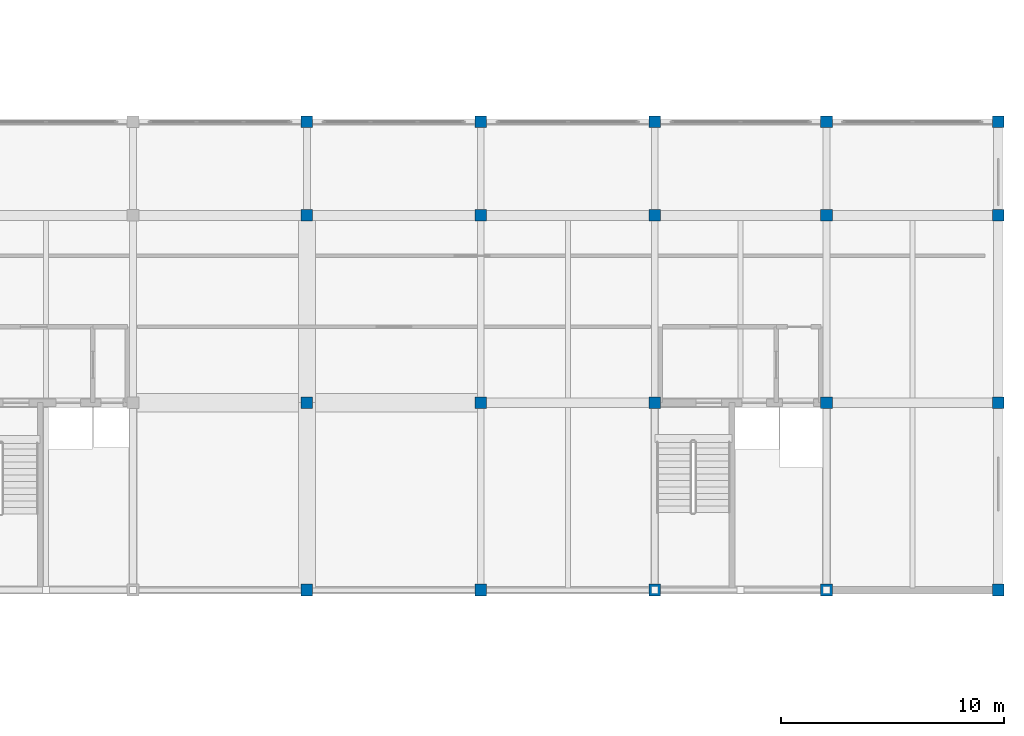
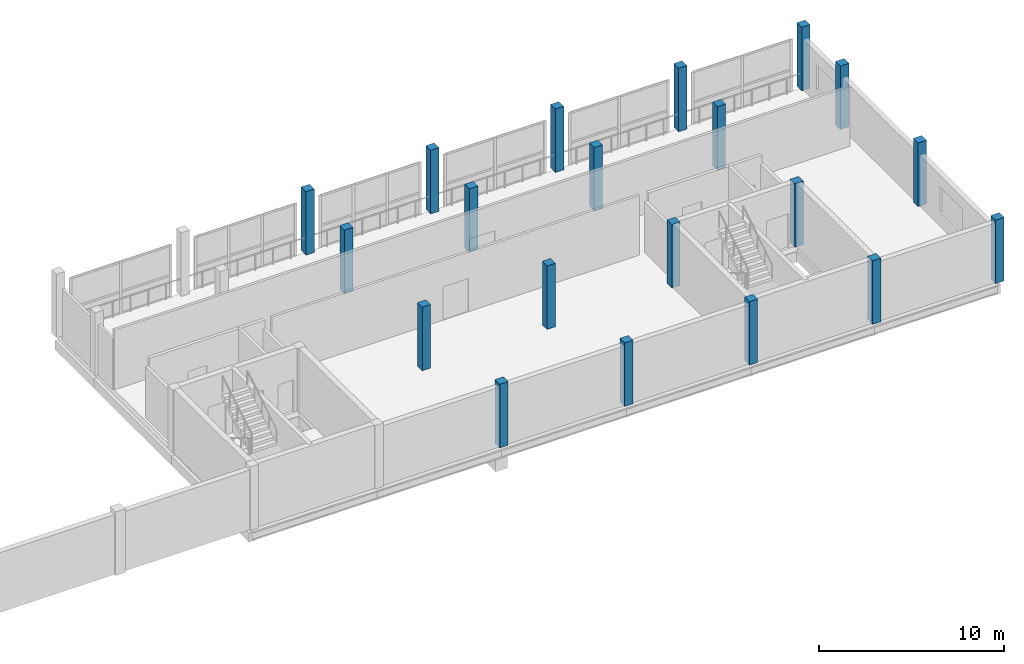
# One storey, part 4 of 53: 20 columns.
"""IFC4 building model written with IfcOpenShell, lengths in metres."""

from ifc_helpers import new_model, si_unit, direction, frame, origin, origin_2d, place, context, subcontext, project, spatial, rectangle, extrude, material, material_profile, profile_set, type_object, element, save


model = new_model("IFC4")

# Units and contexts
model_context = context("Model", 3, precision=1e-05, world=origin(), true_north=direction((0.0, 1.0)))
body_context = subcontext(model_context, "Body", "Model", "MODEL_VIEW")
ifc_project = project(units=[si_unit("LENGTHUNIT", "METRE"), si_unit("AREAUNIT", "SQUARE_METRE"), si_unit("VOLUMEUNIT", "CUBIC_METRE"), si_unit("PLANEANGLEUNIT", "RADIAN"), si_unit("MASSUNIT", "GRAM", prefix="KILO")], contexts=[model_context])

# Site, building, storey
site_placement = place(None, origin())
site = spatial("IfcSite", under=ifc_project, at=site_placement, CompositionType="ELEMENT")
building_placement = place(site_placement, origin())
building = spatial("IfcBuilding", under=site, at=building_placement, Name="Vharandega Faculty of Natural Sciences", CompositionType="ELEMENT")
storey_placement = place(building_placement, frame((0.0, 0.0, 10.199951171875)))
storey = spatial("IfcBuildingStorey", under=building, at=storey_placement, Name="L02", CompositionType="ELEMENT", Elevation=10.199951171875)

# Columns
ifc_material = material(Name="Glulam GL32h", Category="wood")
ifc_material_profile = material_profile(ifc_material, rectangle(XDim=0.52001953125, YDim=0.52001953125, at=origin_2d()), Name="GL32h 520x520")
ifc_profile_set = profile_set([ifc_material_profile], Name="Glulam GL32h")
column_type = type_object("IfcColumnType", Name="Glulam Column 520x520", PredefinedType="COLUMN", material=ifc_profile_set)
for number, where, z_axis, x_axis, name in (
    (1, (130.39990234375, 64.0, 0.0), (0.0, 0.0, 1.0), (1.0, 0.0, 0.0), "Column 17/J L02"),
    (2, (130.39990234375, 72.39990234375, 0.0), (0.0, 0.0, 1.0), (1.0, 0.0, 0.0), "Column 17/K L02"),
    (3, (130.39990234375, 80.800048828125, 0.0), (0.0, 0.0, 1.0), (1.0, 0.0, 0.0), "Column 17/L L02"),
    (4, (130.39990234375, 85.0, 0.0), (0.0, 0.0, 1.0), (1.0, 0.0, 0.0), "Column 17/M L02"),
    (5, (138.199951171875, 64.0, 0.0), (0.0, 0.0, 1.0), (1.0, 0.0, 0.0), "Column 18/J L02"),
    (6, (138.199951171875, 72.39990234375, 0.0), (0.0, 0.0, 1.0), (1.0, 0.0, 0.0), "Column 18/K L02"),
    (7, (138.199951171875, 80.800048828125, 0.0), (0.0, 0.0, 1.0), (1.0, 0.0, 0.0), "Column 18/L L02"),
    (8, (138.199951171875, 85.0, 0.0), (0.0, 0.0, 1.0), (1.0, 0.0, 0.0), "Column 18/M L02"),
    (9, (146.0, 64.0, 0.0), (0.0, 0.0, 1.0), (1.0, 0.0, 0.0), "Column 19/J L02"),
    (10, (146.0, 72.39990234375, 0.0), (0.0, 0.0, 1.0), (1.0, 0.0, 0.0), "Column 19/K L02"),
    (11, (146.0, 80.800048828125, 0.0), (0.0, 0.0, 1.0), (1.0, 0.0, 0.0), "Column 19/L L02"),
    (12, (146.0, 85.0, 0.0), (0.0, 0.0, 1.0), (1.0, 0.0, 0.0), "Column 19/M L02"),
    (13, (153.699951171875, 64.0, 0.0), (0.0, 0.0, 1.0), (1.0, 0.0, 0.0), "Column 20/J L02"),
    (14, (153.699951171875, 72.39990234375, 0.0), (0.0, 0.0, 1.0), (1.0, 0.0, 0.0), "Column 20/K L02"),
    (15, (153.699951171875, 80.800048828125, 0.0), (0.0, 0.0, 1.0), (1.0, 0.0, 0.0), "Column 20/L L02"),
    (16, (153.699951171875, 85.0, 0.0), (0.0, 0.0, 1.0), (1.0, 0.0, 0.0), "Column 20/M L02"),
    (17, (161.39990234375, 64.0, 0.0), (0.0, 0.0, 1.0), (1.0, 0.0, 0.0), "Column 21/J L02"),
    (18, (161.39990234375, 72.39990234375, 0.0), (0.0, 0.0, 1.0), (1.0, 0.0, 0.0), "Column 21/K L02"),
    (19, (161.39990234375, 80.800048828125, 0.0), (0.0, 0.0, 1.0), (1.0, 0.0, 0.0), "Column 21/L L02"),
    (20, (161.39990234375, 85.0, 0.0), (0.0, 0.0, 1.0), (1.0, 0.0, 0.0), "Column 21/M L02"),
):
    element("IfcColumn", number, at=place(storey_placement, frame(where, z_axis=z_axis, x_axis=x_axis)), inside=storey, type_object=column_type, Name=name, PredefinedType="COLUMN", context=body_context, shape_type="SweptSolid", body=[
        extrude(rectangle(XDim=0.52001953125, YDim=0.52001953125, at=origin_2d()), origin(), (0.0, 0.0, 1.0), 4.199951171875),
    ])

save(model, "model.ifc")
